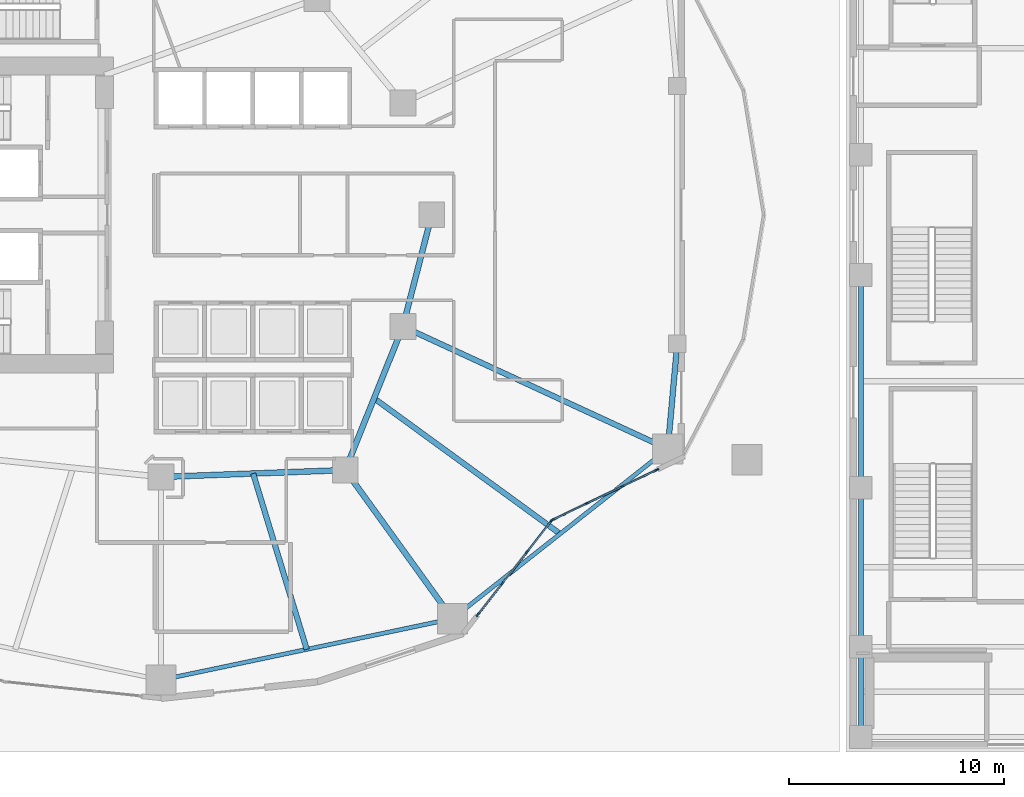
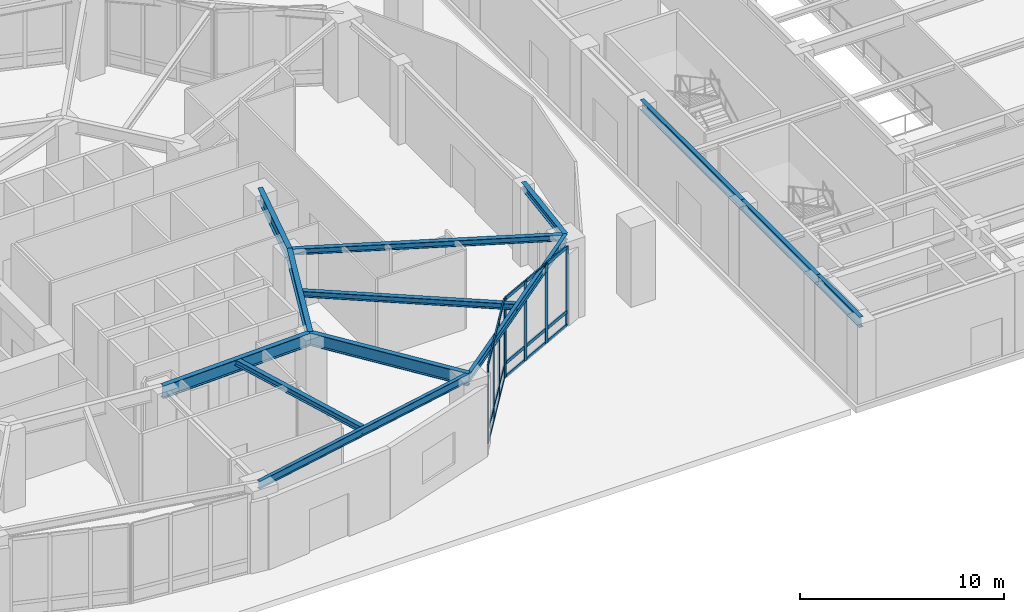
# One storey, part 4 of 23: 26 members, 13 beams, 2 elements without a shape of their own.
"""IFC4 building model written with IfcOpenShell, lengths in metres."""

from ifc_helpers import new_model, si_unit, direction, frame, origin, origin_2d, place, context, subcontext, project, spatial, rectangle, i_section, extrude, material, layer, layer_set, material_profile, profile_set, type_object, element, aggregate, save


model = new_model("IFC4")

# Units and contexts
model_context = context("Model", 3, precision=1e-05, world=origin(), true_north=direction((0.0, 1.0)))
body_context = subcontext(model_context, "Body", "Model", "MODEL_VIEW")
ifc_project = project(units=[si_unit("LENGTHUNIT", "METRE"), si_unit("AREAUNIT", "SQUARE_METRE"), si_unit("VOLUMEUNIT", "CUBIC_METRE"), si_unit("PLANEANGLEUNIT", "RADIAN"), si_unit("MASSUNIT", "GRAM", prefix="KILO")], contexts=[model_context])

# Site, building, storey
site_placement = place(None, origin())
site = spatial("IfcSite", under=ifc_project, at=site_placement, CompositionType="ELEMENT")
building_placement = place(site_placement, origin())
building = spatial("IfcBuilding", under=site, at=building_placement, Name="Kolvaren Gate Tower and Convention Centre", CompositionType="ELEMENT")
storey_placement = place(building_placement, origin())
storey = spatial("IfcBuildingStorey", under=building, at=storey_placement, Name="L00", CompositionType="ELEMENT", Elevation=0.0)

# Curtain wall, members
ifc_material_1 = material(Name="Anodized Architectural Aluminium Alloy 6063-T6", Category="aluminium")
ifc_layer = layer(ifc_material_1, 0.179931640625)
ifc_layer_set = layer_set([ifc_layer], Name="Anodized Architectural Aluminium Alloy 6063-T6")
curtain_wall_type = type_object("IfcCurtainWallType", Name="CW-POD-GLZ", PredefinedType="NOTDEFINED", material=ifc_layer_set)
curtain_wall_1_placement = place(storey_placement, origin())
curtain_wall_1 = element("IfcCurtainWall", 1, at=curtain_wall_1_placement, inside=storey, type_object=curtain_wall_type, Name="Tower L00 Unitised Curtain Wall CW-POD-GLZ Bay 20", PredefinedType="NOTDEFINED")
ifc_material_profile_1 = material_profile(ifc_material_1, rectangle(XDim=0.074951171875, YDim=0.199951171875, at=origin_2d()), Name="CW-MEM-MUL-200")
ifc_profile_set_1 = profile_set([ifc_material_profile_1], Name="Anodized Architectural Aluminium Alloy 6063-T6")
member_type_1 = type_object("IfcMemberType", Name="CW-MEM-MUL-200", PredefinedType="MULLION", material=ifc_profile_set_1)
member_1_placement = place(storey_placement, frame((44.8740234375, 8.39111328125, 0.0), z_axis=(0.0, 0.0, 1.0), x_axis=(-0.787413004527, 0.616425794643, 0.0)))
member_1 = element("IfcMember", 2, at=member_1_placement, type_object=member_type_1, Name="CW-01 mullion 1", PredefinedType="MULLION", context=body_context, shape_type="SweptSolid", body=[
    extrude(rectangle(XDim=0.074951171875, YDim=0.199951171875, at=origin_2d()), origin(), (0.0, 0.0, 1.0), 4.739990234375),
])
member_2_placement = place(storey_placement, frame((46.005615234375, 9.8369140625, 0.0), z_axis=(0.0, 0.0, 1.0), x_axis=(-0.787413004527, 0.616425794643, 0.0)))
member_2 = element("IfcMember", 3, at=member_2_placement, type_object=member_type_1, Name="CW-01 mullion 2", PredefinedType="MULLION", context=body_context, shape_type="SweptSolid", body=[
    extrude(rectangle(XDim=0.074951171875, YDim=0.199951171875, at=origin_2d()), origin(), (0.0, 0.0, 1.0), 4.739990234375),
])
member_3_placement = place(storey_placement, frame((47.160400390625, 11.31201171875, 0.0), z_axis=(0.0, 0.0, 1.0), x_axis=(-0.787413004527, 0.616425794643, 0.0)))
member_3 = element("IfcMember", 4, at=member_3_placement, type_object=member_type_1, Name="CW-01 mullion 3", PredefinedType="MULLION", context=body_context, shape_type="SweptSolid", body=[
    extrude(rectangle(XDim=0.074951171875, YDim=0.199951171875, at=origin_2d()), origin(), (0.0, 0.0, 1.0), 4.739990234375),
])
member_4_placement = place(storey_placement, frame((48.292236328125, 12.757568359375, 0.0), z_axis=(0.0, 0.0, 1.0), x_axis=(-0.787413004527, 0.616425794643, 0.0)))
member_4 = element("IfcMember", 5, at=member_4_placement, type_object=member_type_1, Name="CW-01 mullion 4", PredefinedType="MULLION", context=body_context, shape_type="SweptSolid", body=[
    extrude(rectangle(XDim=0.074951171875, YDim=0.199951171875, at=origin_2d()), origin(), (0.0, 0.0, 1.0), 4.739990234375),
])

curtain_wall_2_placement = place(storey_placement, origin())
curtain_wall_2 = element("IfcCurtainWall", 6, at=curtain_wall_2_placement, inside=storey, type_object=curtain_wall_type, Name="Tower L00 Unitised Curtain Wall CW-POD-GLZ Bay 21", PredefinedType="NOTDEFINED")
member_5_placement = place(storey_placement, frame((48.34912109375, 12.803466796875, 0.0), z_axis=(0.0, 0.0, 1.0), x_axis=(-0.433062688542, 0.90136380435, 0.0)))
member_5 = element("IfcMember", 7, at=member_5_placement, type_object=member_type_1, Name="CW-01 mullion 1", PredefinedType="MULLION", context=body_context, shape_type="SweptSolid", body=[
    extrude(rectangle(XDim=0.074951171875, YDim=0.199951171875, at=origin_2d()), origin(), (0.0, 0.0, 1.0), 4.739990234375),
])
member_6_placement = place(storey_placement, frame((49.955810546875, 13.575439453125, 0.0), z_axis=(0.0, 0.0, 1.0), x_axis=(-0.433062688542, 0.90136380435, 0.0)))
member_6 = element("IfcMember", 8, at=member_6_placement, type_object=member_type_1, Name="CW-01 mullion 2", PredefinedType="MULLION", context=body_context, shape_type="SweptSolid", body=[
    extrude(rectangle(XDim=0.074951171875, YDim=0.199951171875, at=origin_2d()), origin(), (0.0, 0.0, 1.0), 4.739990234375),
])
member_7_placement = place(storey_placement, frame((51.59619140625, 14.363525390625, 0.0), z_axis=(0.0, 0.0, 1.0), x_axis=(-0.433062688542, 0.90136380435, 0.0)))
member_7 = element("IfcMember", 9, at=member_7_placement, type_object=member_type_1, Name="CW-01 mullion 3", PredefinedType="MULLION", context=body_context, shape_type="SweptSolid", body=[
    extrude(rectangle(XDim=0.074951171875, YDim=0.199951171875, at=origin_2d()), origin(), (0.0, 0.0, 1.0), 4.739990234375),
])
member_8_placement = place(storey_placement, frame((53.202880859375, 15.135498046875, 0.0), z_axis=(0.0, 0.0, 1.0), x_axis=(-0.433062688542, 0.90136380435, 0.0)))
member_8 = element("IfcMember", 10, at=member_8_placement, type_object=member_type_1, Name="CW-01 mullion 4", PredefinedType="MULLION", context=body_context, shape_type="SweptSolid", body=[
    extrude(rectangle(XDim=0.074951171875, YDim=0.199951171875, at=origin_2d()), origin(), (0.0, 0.0, 1.0), 4.739990234375),
])

# Member
ifc_material_profile_2 = material_profile(ifc_material_1, rectangle(XDim=0.074951171875, YDim=0.199951171875, at=origin_2d()), Name="CW-MEM-TRN-200")
ifc_profile_set_2 = profile_set([ifc_material_profile_2], Name="Anodized Architectural Aluminium Alloy 6063-T6")
member_type_2 = type_object("IfcMemberType", Name="CW-MEM-TRN-200", PredefinedType="USERDEFINED", material=ifc_profile_set_2)
member_9_placement = place(storey_placement, frame((44.89697265625, 8.420654296875, 0.03759765625), z_axis=(0.616375545802, 0.787452339216, 0.0), x_axis=(-0.787452339216, 0.616375545802, 0.0)))
member_9 = element("IfcMember", 11, at=member_9_placement, type_object=member_type_2, Name="CW-01 transom 1.1", ObjectType="TRANSOM", PredefinedType="USERDEFINED", context=body_context, shape_type="SweptSolid", body=[
    extrude(rectangle(XDim=0.074951171875, YDim=0.199951171875, at=origin_2d()), origin(), (0.0, 0.0, 1.0), 1.760986328125),
])

member_10_placement = place(storey_placement, frame((44.89697265625, 8.420654296875, 0.85009765625), z_axis=(0.616375545802, 0.787452339216, 0.0), x_axis=(-0.787452339216, 0.616375545802, 0.0)))
member_10 = element("IfcMember", 12, at=member_10_placement, type_object=member_type_2, Name="CW-01 transom 1.2", ObjectType="TRANSOM", PredefinedType="USERDEFINED", context=body_context, shape_type="SweptSolid", body=[
    extrude(rectangle(XDim=0.074951171875, YDim=0.199951171875, at=origin_2d()), origin(), (0.0, 0.0, 1.0), 1.760986328125),
])

member_11_placement = place(storey_placement, frame((44.89697265625, 8.420654296875, 4.702392578125), z_axis=(0.616375545802, 0.787452339216, 0.0), x_axis=(-0.787452339216, 0.616375545802, 0.0)))
member_11 = element("IfcMember", 13, at=member_11_placement, type_object=member_type_2, Name="CW-01 transom 1.3", ObjectType="TRANSOM", PredefinedType="USERDEFINED", context=body_context, shape_type="SweptSolid", body=[
    extrude(rectangle(XDim=0.074951171875, YDim=0.199951171875, at=origin_2d()), origin(), (0.0, 0.0, 1.0), 1.760986328125),
])

member_12_placement = place(storey_placement, frame((46.02880859375, 9.866455078125, 0.03759765625), z_axis=(0.616465649316, 0.787381802694, 0.0), x_axis=(-0.787381802694, 0.616465649316, 0.0)))
member_12 = element("IfcMember", 14, at=member_12_placement, type_object=member_type_2, Name="CW-01 transom 2.1", ObjectType="TRANSOM", PredefinedType="USERDEFINED", context=body_context, shape_type="SweptSolid", body=[
    extrude(rectangle(XDim=0.074951171875, YDim=0.199951171875, at=origin_2d()), origin(), (0.0, 0.0, 1.0), 1.79833984375),
])

member_13_placement = place(storey_placement, frame((46.02880859375, 9.866455078125, 0.85009765625), z_axis=(0.616465649316, 0.787381802694, 0.0), x_axis=(-0.787381802694, 0.616465649316, 0.0)))
member_13 = element("IfcMember", 15, at=member_13_placement, type_object=member_type_2, Name="CW-01 transom 2.2", ObjectType="TRANSOM", PredefinedType="USERDEFINED", context=body_context, shape_type="SweptSolid", body=[
    extrude(rectangle(XDim=0.074951171875, YDim=0.199951171875, at=origin_2d()), origin(), (0.0, 0.0, 1.0), 1.79833984375),
])

member_14_placement = place(storey_placement, frame((46.02880859375, 9.866455078125, 4.702392578125), z_axis=(0.616465649316, 0.787381802694, 0.0), x_axis=(-0.787381802694, 0.616465649316, 0.0)))
member_14 = element("IfcMember", 16, at=member_14_placement, type_object=member_type_2, Name="CW-01 transom 2.3", ObjectType="TRANSOM", PredefinedType="USERDEFINED", context=body_context, shape_type="SweptSolid", body=[
    extrude(rectangle(XDim=0.074951171875, YDim=0.199951171875, at=origin_2d()), origin(), (0.0, 0.0, 1.0), 1.79833984375),
])

member_15_placement = place(storey_placement, frame((47.18359375, 11.341552734375, 0.03759765625), z_axis=(0.616442840137, 0.787399660175, 0.0), x_axis=(-0.787399660175, 0.616442840137, 0.0)))
member_15 = element("IfcMember", 17, at=member_15_placement, type_object=member_type_2, Name="CW-01 transom 3.1", ObjectType="TRANSOM", PredefinedType="USERDEFINED", context=body_context, shape_type="SweptSolid", body=[
    extrude(rectangle(XDim=0.074951171875, YDim=0.199951171875, at=origin_2d()), origin(), (0.0, 0.0, 1.0), 1.7607421875),
])

member_16_placement = place(storey_placement, frame((47.18359375, 11.341552734375, 0.85009765625), z_axis=(0.616442840137, 0.787399660175, 0.0), x_axis=(-0.787399660175, 0.616442840137, 0.0)))
member_16 = element("IfcMember", 18, at=member_16_placement, type_object=member_type_2, Name="CW-01 transom 3.2", ObjectType="TRANSOM", PredefinedType="USERDEFINED", context=body_context, shape_type="SweptSolid", body=[
    extrude(rectangle(XDim=0.074951171875, YDim=0.199951171875, at=origin_2d()), origin(), (0.0, 0.0, 1.0), 1.7607421875),
])

member_17_placement = place(storey_placement, frame((47.18359375, 11.341552734375, 4.702392578125), z_axis=(0.616442840137, 0.787399660175, 0.0), x_axis=(-0.787399660175, 0.616442840137, 0.0)))
member_17 = element("IfcMember", 19, at=member_17_placement, type_object=member_type_2, Name="CW-01 transom 3.3", ObjectType="TRANSOM", PredefinedType="USERDEFINED", context=body_context, shape_type="SweptSolid", body=[
    extrude(rectangle(XDim=0.074951171875, YDim=0.199951171875, at=origin_2d()), origin(), (0.0, 0.0, 1.0), 1.7607421875),
])

aggregate(curtain_wall_1, [member_1, member_2, member_3, member_4, member_9, member_10, member_11, member_12, member_13, member_14, member_15, member_16, member_17])

member_18_placement = place(storey_placement, frame((48.3828125, 12.819580078125, 0.03759765625), z_axis=(0.9013511863, 0.433088950397, 0.0), x_axis=(-0.433088950397, 0.9013511863, 0.0)))
member_18 = element("IfcMember", 20, at=member_18_placement, type_object=member_type_2, Name="CW-01 transom 1.1", ObjectType="TRANSOM", PredefinedType="USERDEFINED", context=body_context, shape_type="SweptSolid", body=[
    extrude(rectangle(XDim=0.074951171875, YDim=0.199951171875, at=origin_2d()), origin(), (0.0, 0.0, 1.0), 1.70751953125),
])

member_19_placement = place(storey_placement, frame((48.3828125, 12.819580078125, 0.85009765625), z_axis=(0.9013511863, 0.433088950397, 0.0), x_axis=(-0.433088950397, 0.9013511863, 0.0)))
member_19 = element("IfcMember", 21, at=member_19_placement, type_object=member_type_2, Name="CW-01 transom 1.2", ObjectType="TRANSOM", PredefinedType="USERDEFINED", context=body_context, shape_type="SweptSolid", body=[
    extrude(rectangle(XDim=0.074951171875, YDim=0.199951171875, at=origin_2d()), origin(), (0.0, 0.0, 1.0), 1.70751953125),
])

member_20_placement = place(storey_placement, frame((48.3828125, 12.819580078125, 4.702392578125), z_axis=(0.9013511863, 0.433088950397, 0.0), x_axis=(-0.433088950397, 0.9013511863, 0.0)))
member_20 = element("IfcMember", 22, at=member_20_placement, type_object=member_type_2, Name="CW-01 transom 1.3", ObjectType="TRANSOM", PredefinedType="USERDEFINED", context=body_context, shape_type="SweptSolid", body=[
    extrude(rectangle(XDim=0.074951171875, YDim=0.199951171875, at=origin_2d()), origin(), (0.0, 0.0, 1.0), 1.70751953125),
])

member_21_placement = place(storey_placement, frame((49.989501953125, 13.591552734375, 0.03759765625), z_axis=(0.901339603895, 0.433113055046, 0.0), x_axis=(-0.433113055046, 0.901339603895, 0.0)))
member_21 = element("IfcMember", 23, at=member_21_placement, type_object=member_type_2, Name="CW-01 transom 2.1", ObjectType="TRANSOM", PredefinedType="USERDEFINED", context=body_context, shape_type="SweptSolid", body=[
    extrude(rectangle(XDim=0.074951171875, YDim=0.199951171875, at=origin_2d()), origin(), (0.0, 0.0, 1.0), 1.7451171875),
])

member_22_placement = place(storey_placement, frame((49.989501953125, 13.591552734375, 0.85009765625), z_axis=(0.901339603895, 0.433113055046, 0.0), x_axis=(-0.433113055046, 0.901339603895, 0.0)))
member_22 = element("IfcMember", 24, at=member_22_placement, type_object=member_type_2, Name="CW-01 transom 2.2", ObjectType="TRANSOM", PredefinedType="USERDEFINED", context=body_context, shape_type="SweptSolid", body=[
    extrude(rectangle(XDim=0.074951171875, YDim=0.199951171875, at=origin_2d()), origin(), (0.0, 0.0, 1.0), 1.7451171875),
])

member_23_placement = place(storey_placement, frame((49.989501953125, 13.591552734375, 4.702392578125), z_axis=(0.901339603895, 0.433113055046, 0.0), x_axis=(-0.433113055046, 0.901339603895, 0.0)))
member_23 = element("IfcMember", 25, at=member_23_placement, type_object=member_type_2, Name="CW-01 transom 2.3", ObjectType="TRANSOM", PredefinedType="USERDEFINED", context=body_context, shape_type="SweptSolid", body=[
    extrude(rectangle(XDim=0.074951171875, YDim=0.199951171875, at=origin_2d()), origin(), (0.0, 0.0, 1.0), 1.7451171875),
])

member_24_placement = place(storey_placement, frame((51.630126953125, 14.3798828125, 0.03759765625), z_axis=(0.901406997018, 0.432972777121, 0.0), x_axis=(-0.432972777121, 0.901406997018, 0.0)))
member_24 = element("IfcMember", 26, at=member_24_placement, type_object=member_type_2, Name="CW-01 transom 3.1", ObjectType="TRANSOM", PredefinedType="USERDEFINED", context=body_context, shape_type="SweptSolid", body=[
    extrude(rectangle(XDim=0.074951171875, YDim=0.199951171875, at=origin_2d()), origin(), (0.0, 0.0, 1.0), 1.70751953125),
])

member_25_placement = place(storey_placement, frame((51.630126953125, 14.3798828125, 0.85009765625), z_axis=(0.901406997018, 0.432972777121, 0.0), x_axis=(-0.432972777121, 0.901406997018, 0.0)))
member_25 = element("IfcMember", 27, at=member_25_placement, type_object=member_type_2, Name="CW-01 transom 3.2", ObjectType="TRANSOM", PredefinedType="USERDEFINED", context=body_context, shape_type="SweptSolid", body=[
    extrude(rectangle(XDim=0.074951171875, YDim=0.199951171875, at=origin_2d()), origin(), (0.0, 0.0, 1.0), 1.70751953125),
])

member_26_placement = place(storey_placement, frame((51.630126953125, 14.3798828125, 4.702392578125), z_axis=(0.901406997018, 0.432972777121, 0.0), x_axis=(-0.432972777121, 0.901406997018, 0.0)))
member_26 = element("IfcMember", 28, at=member_26_placement, type_object=member_type_2, Name="CW-01 transom 3.3", ObjectType="TRANSOM", PredefinedType="USERDEFINED", context=body_context, shape_type="SweptSolid", body=[
    extrude(rectangle(XDim=0.074951171875, YDim=0.199951171875, at=origin_2d()), origin(), (0.0, 0.0, 1.0), 1.70751953125),
])

aggregate(curtain_wall_2, [member_5, member_6, member_7, member_8, member_18, member_19, member_20, member_21, member_22, member_23, member_24, member_25, member_26])

# Beams
ifc_material_2 = material(Name="Structural steel ASTM A992 Grade 345 MPa", Category="steel")
ifc_material_profile_3 = material_profile(ifc_material_2, i_section(OverallWidth=0.260986328125, OverallDepth=0.419921875, WebThickness=0.01171875, FlangeThickness=0.019287109375, at=origin_2d()), Name="W410X114")
ifc_profile_set_3 = profile_set([ifc_material_profile_3], Name="Structural steel ASTM A992 Grade 345 MPa")
beam_type_1 = type_object("IfcBeamType", Name="STR-BM-W410X114", PredefinedType="BEAM", material=ifc_profile_set_3)
beam_1_placement = place(storey_placement, frame((53.710205078125, 16.1064453125, 4.530029296875), z_axis=(0.089491797753, 0.995987559227, 0.0), x_axis=(-0.995987559227, 0.089491797753, 0.0)))
element("IfcBeam", 29, at=beam_1_placement, inside=storey, type_object=beam_type_1, Name="Tower L00 Recessed Arch Edge Spandrel AE-1", PredefinedType="BEAM", context=body_context, shape_type="SweptSolid", body=[
    extrude(i_section(OverallWidth=0.260986328125, OverallDepth=0.419921875, WebThickness=0.01171875, FlangeThickness=0.019287109375, at=origin_2d()), origin(), (0.0, 0.0, 1.0), 4.913330078125),
])
ifc_material_profile_4 = material_profile(ifc_material_2, i_section(OverallWidth=0.22998046875, OverallDepth=0.616943359375, WebThickness=0.01318359375, FlangeThickness=0.022216796875, at=origin_2d()), Name="W610X140")
ifc_profile_set_4 = profile_set([ifc_material_profile_4], Name="Structural steel ASTM A992 Grade 345 MPa")
beam_type_2 = type_object("IfcBeamType", Name="STR-BM-W610X140", PredefinedType="BEAM", material=ifc_profile_set_4)
beam_2_placement = place(storey_placement, frame((62.699951171875, 2.699951171875, 4.431396484375), z_axis=(0.0, 1.0, 0.0), x_axis=(-1.0, 0.0, 0.0)))
element("IfcBeam", 30, at=beam_2_placement, inside=storey, type_object=beam_type_2, Name="Convention L00 Longitudinal Girder CG-11", PredefinedType="BEAM", context=body_context, shape_type="SweptSolid", body=[
    extrude(i_section(OverallWidth=0.22998046875, OverallDepth=0.616943359375, WebThickness=0.01318359375, FlangeThickness=0.022216796875, at=origin_2d()), origin(), (0.0, 0.0, 1.0), 4.199951171875),
])
beam_3_placement = place(storey_placement, frame((62.699951171875, 6.89990234375, 4.431396484375), z_axis=(0.0, 1.0, 0.0), x_axis=(-1.0, 0.0, 0.0)))
element("IfcBeam", 31, at=beam_3_placement, inside=storey, type_object=beam_type_2, Name="Convention L00 Longitudinal Girder CG-12", PredefinedType="BEAM", context=body_context, shape_type="SweptSolid", body=[
    extrude(i_section(OverallWidth=0.22998046875, OverallDepth=0.616943359375, WebThickness=0.01318359375, FlangeThickness=0.022216796875, at=origin_2d()), origin(), (0.0, 0.0, 1.0), 7.400146484375),
])
beam_4_placement = place(storey_placement, frame((62.699951171875, 14.300048828125, 4.431396484375), z_axis=(0.0, 1.0, 0.0), x_axis=(-1.0, 0.0, 0.0)))
element("IfcBeam", 32, at=beam_4_placement, inside=storey, type_object=beam_type_2, Name="Convention L00 Longitudinal Girder CG-13", PredefinedType="BEAM", context=body_context, shape_type="SweptSolid", body=[
    extrude(i_section(OverallWidth=0.22998046875, OverallDepth=0.616943359375, WebThickness=0.01318359375, FlangeThickness=0.022216796875, at=origin_2d()), origin(), (0.0, 0.0, 1.0), 9.89990234375),
])
ifc_material_profile_5 = material_profile(ifc_material_2, i_section(OverallWidth=0.26806640625, OverallDepth=0.758056640625, WebThickness=0.016357421875, FlangeThickness=0.025390625, at=origin_2d()), Name="W760X220")
ifc_profile_set_5 = profile_set([ifc_material_profile_5], Name="Structural steel ASTM A992 Grade 345 MPa")
beam_type_3 = type_object("IfcBeamType", Name="STR-BM-W760X220", PredefinedType="BEAM", material=ifc_profile_set_5)
beam_5_placement = place(storey_placement, frame((42.72509765625, 27.0, 4.361083984375), z_axis=(-0.250091133936, -0.968222301296, 0.0), x_axis=(0.968222301296, -0.250091133936, 0.0)))
element("IfcBeam", 33, at=beam_5_placement, inside=storey, type_object=beam_type_3, Name="Tower L00 Primary Ring Girder G-01", PredefinedType="BEAM", context=body_context, shape_type="SweptSolid", body=[
    extrude(i_section(OverallWidth=0.26806640625, OverallDepth=0.758056640625, WebThickness=0.016357421875, FlangeThickness=0.025390625, at=origin_2d()), origin(), (0.0, 0.0, 1.0), 5.3701171875),
])
beam_6_placement = place(storey_placement, frame((30.125, 14.800048828125, 4.361083984375), z_axis=(0.999301712453, 0.037364254142, 0.0), x_axis=(-0.037364254142, 0.999301712453, 0.0)))
element("IfcBeam", 34, at=beam_6_placement, inside=storey, type_object=beam_type_3, Name="Tower L00 Primary Ring Girder G-08", PredefinedType="BEAM", context=body_context, shape_type="SweptSolid", body=[
    extrude(i_section(OverallWidth=0.26806640625, OverallDepth=0.758056640625, WebThickness=0.016357421875, FlangeThickness=0.025390625, at=origin_2d()), origin(), (0.0, 0.0, 1.0), 8.579345703125),
])
beam_7_placement = place(storey_placement, frame((38.6982421875, 15.12060546875, 4.361083984375), z_axis=(0.372811100169, 0.927907260232, 0.0), x_axis=(-0.927907260232, 0.372811100169, 0.0)))
element("IfcBeam", 35, at=beam_7_placement, inside=storey, type_object=beam_type_3, Name="Tower L00 Primary Ring Girder G-09", PredefinedType="BEAM", context=body_context, shape_type="SweptSolid", body=[
    extrude(i_section(OverallWidth=0.26806640625, OverallDepth=0.758056640625, WebThickness=0.016357421875, FlangeThickness=0.025390625, at=origin_2d()), origin(), (0.0, 0.0, 1.0), 7.198974609375),
])
beam_8_placement = place(storey_placement, frame((38.6982421875, 15.12060546875, 4.361083984375), z_axis=(0.585208374732, -0.810882949718, 0.0), x_axis=(0.810882949718, 0.585208374732, 0.0)))
element("IfcBeam", 36, at=beam_8_placement, inside=storey, type_object=beam_type_3, Name="Tower L00 Radial Floor Girder RB-11", PredefinedType="BEAM", context=body_context, shape_type="SweptSolid", body=[
    extrude(i_section(OverallWidth=0.26806640625, OverallDepth=0.758056640625, WebThickness=0.016357421875, FlangeThickness=0.025390625, at=origin_2d()), origin(), (0.0, 0.0, 1.0), 8.5302734375),
])
ifc_material_profile_6 = material_profile(ifc_material_2, i_section(OverallWidth=0.2548828125, OverallDepth=0.35693359375, WebThickness=0.010498046875, FlangeThickness=0.018310546875, at=origin_2d()), Name="W360X101")
ifc_profile_set_6 = profile_set([ifc_material_profile_6], Name="Structural steel ASTM A992 Grade 345 MPa")
beam_type_4 = type_object("IfcBeamType", Name="STR-JS-W360X101", PredefinedType="JOIST", material=ifc_profile_set_6)
beam_9_placement = place(storey_placement, frame((41.382080078125, 21.800537109375, 4.5615234375), z_axis=(0.907842006347, -0.419312403241, 0.0), x_axis=(0.419312403241, 0.907842006347, 0.0)))
element("IfcBeam", 37, at=beam_9_placement, inside=storey, type_object=beam_type_4, Name="Tower L00 Radial Floor Girder RB-12", PredefinedType="JOIST", context=body_context, shape_type="SweptSolid", body=[
    extrude(i_section(OverallWidth=0.2548828125, OverallDepth=0.35693359375, WebThickness=0.010498046875, FlangeThickness=0.018310546875, at=origin_2d()), origin(), (0.0, 0.0, 1.0), 13.57958984375),
])
beam_10_placement = place(storey_placement, frame((34.41162109375, 14.960205078125, 4.5615234375), z_axis=(0.291750890749, -0.956494337541, 0.0), x_axis=(0.956494337541, 0.291750890749, 0.0)))
element("IfcBeam", 38, at=beam_10_placement, inside=storey, type_object=beam_type_4, Name="Tower L00 Secondary Composite Floor Joist J-10.1", PredefinedType="JOIST", context=body_context, shape_type="SweptSolid", body=[
    extrude(i_section(OverallWidth=0.2548828125, OverallDepth=0.35693359375, WebThickness=0.010498046875, FlangeThickness=0.018310546875, at=origin_2d()), origin(), (0.0, 0.0, 1.0), 8.5556640625),
])
beam_11_placement = place(storey_placement, frame((40.040283203125, 18.46044921875, 4.5615234375), z_axis=(0.808411716387, -0.588617445212, 0.0), x_axis=(0.588617445212, 0.808411716387, 0.0)))
element("IfcBeam", 39, at=beam_11_placement, inside=storey, type_object=beam_type_4, Name="Tower L00 Secondary Composite Floor Joist J-11.1", PredefinedType="JOIST", context=body_context, shape_type="SweptSolid", body=[
    extrude(i_section(OverallWidth=0.2548828125, OverallDepth=0.35693359375, WebThickness=0.010498046875, FlangeThickness=0.018310546875, at=origin_2d()), origin(), (0.0, 0.0, 1.0), 10.712158203125),
])
ifc_material_profile_7 = material_profile(ifc_material_2, i_section(OverallWidth=0.194091796875, OverallDepth=0.468994140625, WebThickness=0.0126953125, FlangeThickness=0.0205078125, at=origin_2d()), Name="W460X106")
ifc_profile_set_7 = profile_set([ifc_material_profile_7], Name="Structural steel ASTM A992 Grade 345 MPa")
beam_type_5 = type_object("IfcBeamType", Name="STR-SP-W460X106", PredefinedType="SPANDREL", material=ifc_profile_set_7)
beam_12_placement = place(storey_placement, frame((30.125, 5.35009765625, 4.505615234375), z_axis=(0.978583407863, 0.205850707685, 0.0), x_axis=(-0.205850707685, 0.978583407863, 0.0)))
element("IfcBeam", 40, at=beam_12_placement, inside=storey, type_object=beam_type_5, Name="Tower L00 Perimeter Spandrel Beam SP-10", PredefinedType="SPANDREL", context=body_context, shape_type="SweptSolid", body=[
    extrude(i_section(OverallWidth=0.194091796875, OverallDepth=0.468994140625, WebThickness=0.0126953125, FlangeThickness=0.0205078125, at=origin_2d()), origin(), (0.0, 0.0, 1.0), 13.862060546875),
])
beam_13_placement = place(storey_placement, frame((43.690185546875, 8.20361328125, 4.505615234375), z_axis=(0.785176498861, 0.619272044933, 0.0), x_axis=(-0.619272044933, 0.785176498861, 0.0)))
element("IfcBeam", 41, at=beam_13_placement, inside=storey, type_object=beam_type_5, Name="Tower L00 Perimeter Spandrel Beam SP-11", PredefinedType="SPANDREL", context=body_context, shape_type="SweptSolid", body=[
    extrude(i_section(OverallWidth=0.194091796875, OverallDepth=0.468994140625, WebThickness=0.0126953125, FlangeThickness=0.0205078125, at=origin_2d()), origin(), (0.0, 0.0, 1.0), 12.761474609375),
])

save(model, "model.ifc")
